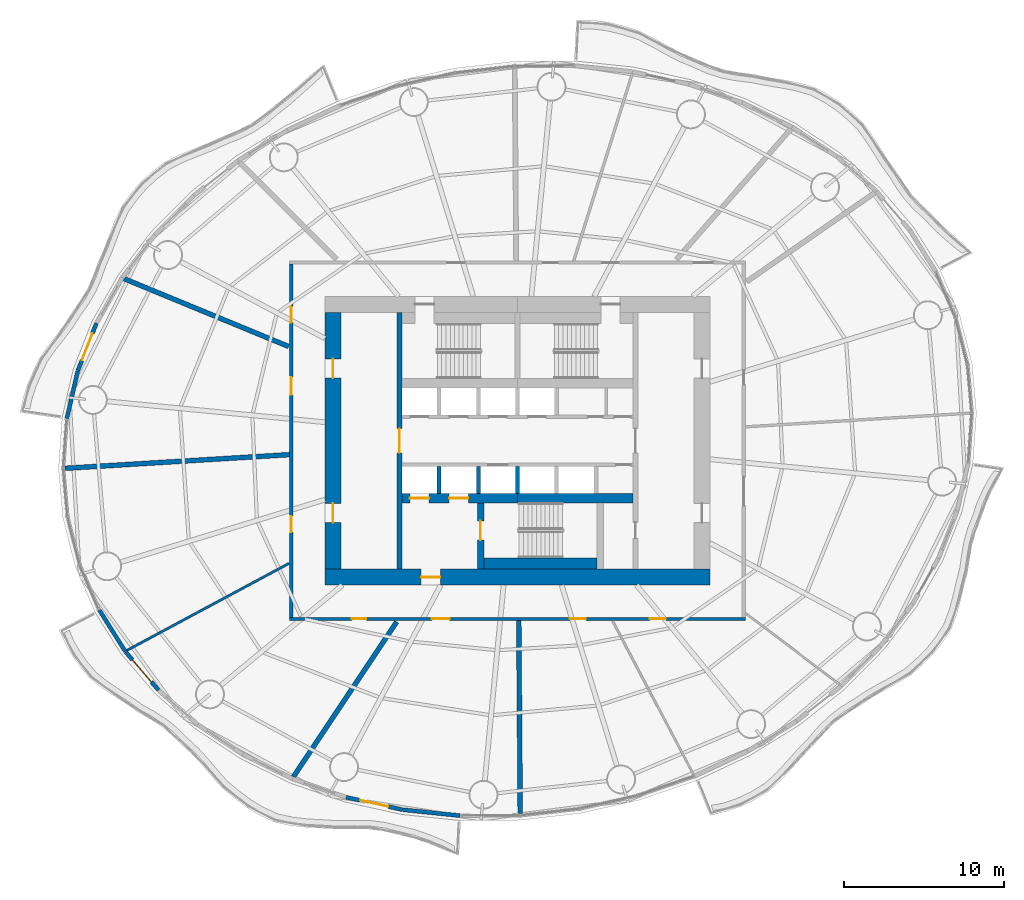
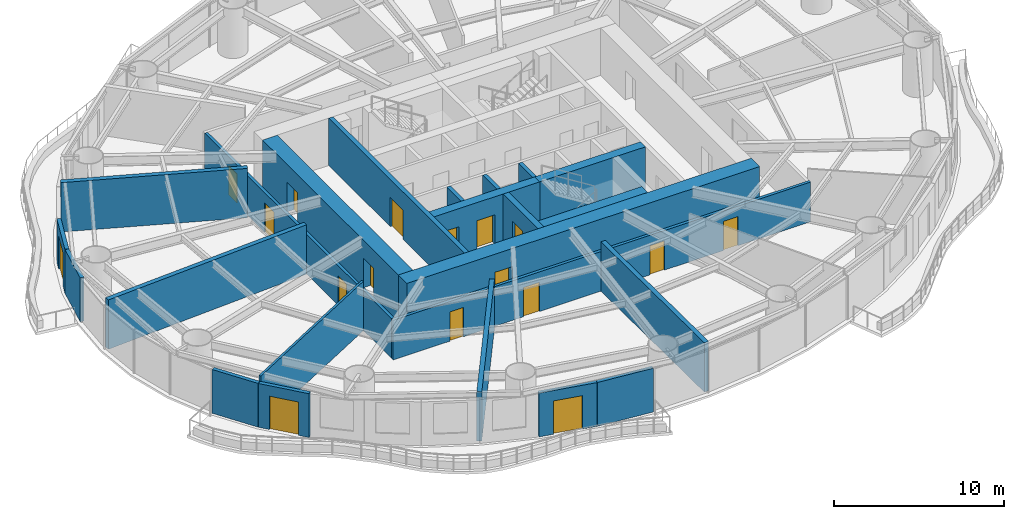
# One storey, part 8 of 16: 23 walls, 17 doors, 17 openings.
"""IFC4 building model written with IfcOpenShell, lengths in metres."""

import ifcopenshell
import ifcopenshell.guid

model = None  # the IFC model being written
_history = None  # IfcOwnerHistory: only IFC2X3 demands one
_inside = {}  # id of a spatial element -> (the spatial element, [elements in it])
_under = {}  # id of a project, library or spatial element -> (it, [spatial elements below it])
_declared = {}  # id of a project -> (the project, [libraries it declares])
_typed = {}  # id of a type object -> (the type object, [elements of that type])
_made_of = {}  # id of a material, layer set ... -> (it, [elements and type objects made of it])


def new_model(schema):
    """Start an empty IFC model of exactly this schema.

    Asked for "IFC4X3", IfcOpenShell would pick the latest addendum, in which some entities
    have other attributes; the version numbers below select the first issue.
    IFC2X3 requires an IfcOwnerHistory on every rooted entity: one is made here for all.
    """
    global model, _history
    if schema == "IFC4X3":
        model = ifcopenshell.file(schema_version=(4, 3, 0, 0))
    else:
        model = ifcopenshell.file(schema=schema)
    _inside.clear()
    _under.clear()
    _declared.clear()
    _typed.clear()
    _made_of.clear()
    _history = None
    if model.schema == "IFC2X3":
        org = make("IfcOrganization", Name="unknown")
        user = make(
            "IfcPersonAndOrganization",
            ThePerson=make("IfcPerson", FamilyName="unknown"),
            TheOrganization=org,
        )
        app = make(
            "IfcApplication",
            ApplicationDeveloper=org,
            Version="unknown",
            ApplicationFullName="unknown",
            ApplicationIdentifier="unknown",
        )
        _history = make(
            "IfcOwnerHistory",
            OwningUser=user,
            OwningApplication=app,
            ChangeAction="ADDED",
            CreationDate=0,
        )
    return model


def make(cls, **values):
    """One entity of the class cls with the attributes given. An attribute that is None is left unset."""
    return model.create_entity(
        cls, **{name: value for name, value in values.items() if value is not None}
    )


def rooted(cls, **values):
    """An entity with a GlobalId (a new one), such as an element, a storey or a relation."""
    return make(cls, GlobalId=ifcopenshell.guid.new(), OwnerHistory=_history, **values)


def si_unit(unit_type, name, prefix=None):
    """IfcSIUnit, for example si_unit("LENGTHUNIT", "METRE", prefix="MILLI")."""
    return make("IfcSIUnit", UnitType=unit_type, Prefix=prefix, Name=name)


def assignment(units):
    """IfcUnitAssignment: the units of a project."""
    return None if units is None else make("IfcUnitAssignment", Units=units)


def point(xyz):
    """IfcCartesianPoint."""
    return None if xyz is None else make("IfcCartesianPoint", Coordinates=xyz)


def direction(xyz):
    """IfcDirection."""
    return None if xyz is None else make("IfcDirection", DirectionRatios=xyz)


def frame(location, z_axis=None, x_axis=None):
    """IfcAxis2Placement3D, a coordinate frame: its origin and axes. An axis left out is left unset."""
    return make(
        "IfcAxis2Placement3D",
        Location=point(location),
        Axis=direction(z_axis),
        RefDirection=direction(x_axis),
    )


def frame_2d(location, x_axis=None):
    """IfcAxis2Placement2D, a coordinate frame in the plane: its origin and x axis."""
    return make(
        "IfcAxis2Placement2D", Location=point(location), RefDirection=direction(x_axis)
    )


def origin():
    """The frame at (0, 0, 0) with its axes left unset."""
    return frame((0.0, 0.0, 0.0))


def place(relative_to, where):
    """IfcLocalPlacement: puts the frame where relative to a parent placement (None: the world)."""
    return make(
        "IfcLocalPlacement", PlacementRelTo=relative_to, RelativePlacement=where
    )


def context(
    kind, dimensions, precision=None, world=None, true_north=None, identifier=None
):
    """IfcGeometricRepresentationContext, for example the 3D "Model" context."""
    return make(
        "IfcGeometricRepresentationContext",
        ContextIdentifier=identifier,
        ContextType=kind,
        CoordinateSpaceDimension=dimensions,
        Precision=precision,
        WorldCoordinateSystem=world,
        TrueNorth=true_north,
    )


def subcontext(parent, identifier, kind, view, scale=None):
    """IfcGeometricRepresentationSubContext, for example "Body" below "Model"."""
    return make(
        "IfcGeometricRepresentationSubContext",
        ContextIdentifier=identifier,
        ContextType=kind,
        ParentContext=parent,
        TargetScale=scale,
        TargetView=view,
    )


def project(units=None, contexts=None):
    """IfcProject with its units and contexts."""
    return rooted(
        "IfcProject",
        Name="project",
        RepresentationContexts=contexts,
        UnitsInContext=assignment(units),
    )


def spatial(cls, under=None, at=None, **own):
    """A site, building, storey or space (cls), placed at a placement, below another one or the project."""
    s = rooted(cls, ObjectPlacement=at, **own)
    if under is not None:
        _under.setdefault(under.id(), (under, []))[1].append(s)
    return s


def profile(cls, at=None, kind="AREA", **sizes):
    """A parametric profile (cls). Its sizes go by their IFC names, for example OverallWidth=200.0."""
    return make(cls, ProfileType=kind, Position=at, **sizes)


def rectangle(**sizes):
    """IfcRectangleProfileDef."""
    return profile("IfcRectangleProfileDef", **sizes)


def extrude(swept, where, along, depth):
    """IfcExtrudedAreaSolid: the profile swept, set in the frame where, extruded along a direction by depth."""
    return make(
        "IfcExtrudedAreaSolid",
        SweptArea=swept,
        Position=where,
        ExtrudedDirection=direction(along),
        Depth=depth,
    )


def shape(context_of_items, identifier, shape_type, items):
    """IfcShapeRepresentation: the items that make up one representation, for example the "Body"."""
    return make(
        "IfcShapeRepresentation",
        ContextOfItems=context_of_items,
        RepresentationIdentifier=identifier,
        RepresentationType=shape_type,
        Items=items,
    )


def material(Name=None, Category=None):
    """IfcMaterial."""
    return make("IfcMaterial", Name=Name, Category=Category)


def layer(
    of_material, thickness, ventilated=None, Name=None, Category=None, Priority=None
):
    """IfcMaterialLayer: one layer of a wall or slab, of a material (None: an air gap)."""
    return make(
        "IfcMaterialLayer",
        Material=of_material,
        LayerThickness=thickness,
        IsVentilated=ventilated,
        Name=Name,
        Category=Category,
        Priority=Priority,
    )


def layer_set(layers, Name=None):
    """IfcMaterialLayerSet."""
    return make("IfcMaterialLayerSet", MaterialLayers=layers, LayerSetName=Name)


def made_of(thing, what):
    """Note that an element or type object is made of a material, layer set ...; save() writes the relation."""
    if what is not None:
        _made_of.setdefault(what.id(), (what, []))[1].append(thing)
    return thing


def type_object(cls, material=None, **own):
    """A type object (cls), such as IfcWallType, which elements share."""
    return made_of(rooted(cls, **own), material)


def element(
    cls,
    number,
    at=None,
    inside=None,
    cuts=None,
    type_object=None,
    material=None,
    context=None,
    identifier="Body",
    shape_type=None,
    held_by="IfcProductDefinitionShape",
    body=None,
    shapes=None,
    **own,
):
    """One element of the class cls, such as IfcWall. Its Tag is "e" and its number.

    at: its placement. inside: the storey or other place that contains it. cuts: it is an
    opening in that element (IfcRelVoidsElement). A single representation is given by context,
    identifier, shape_type and body (its items); several are given by shapes. held_by: the class
    of the entity that holds the representations. save() writes the other relations.
    """
    e = rooted(cls, Tag="e%d" % number, ObjectPlacement=at, **own)
    if body is not None:
        shapes = [shape(context, identifier, shape_type, body)]
    if shapes is not None:
        e.Representation = make(held_by, Representations=shapes)
    if inside is not None:
        _inside.setdefault(inside.id(), (inside, []))[1].append(e)
    if cuts is not None:
        rooted(
            "IfcRelVoidsElement", RelatingBuildingElement=cuts, RelatedOpeningElement=e
        )
    if type_object is not None:
        _typed.setdefault(type_object.id(), (type_object, []))[1].append(e)
    return made_of(e, material)


def fill(opening, filler):
    """IfcRelFillsElement: the door or window that sits in an opening."""
    return rooted(
        "IfcRelFillsElement",
        RelatingOpeningElement=opening,
        RelatedBuildingElement=filler,
    )


def aggregate(whole, parts):
    """IfcRelAggregates: a whole, such as a stair, and the parts it consists of."""
    return rooted("IfcRelAggregates", RelatingObject=whole, RelatedObjects=parts)


def save(model, path):
    """Write the relations noted so far, then the file.

    IfcRelAggregates (storeys below a building ...), IfcRelContainedInSpatialStructure (elements
    in a storey), IfcRelDefinesByType, IfcRelAssociatesMaterial and IfcRelDeclares: one each for
    every whole, place, type object, material and project.
    """
    for whole, parts in _under.values():
        aggregate(whole, parts)
    for where, things in _inside.values():
        rooted(
            "IfcRelContainedInSpatialStructure",
            RelatedElements=things,
            RelatingStructure=where,
        )
    for kind, things in _typed.values():
        rooted("IfcRelDefinesByType", RelatedObjects=things, RelatingType=kind)
    for what, things in _made_of.values():
        rooted("IfcRelAssociatesMaterial", RelatedObjects=things, RelatingMaterial=what)
    for by, libraries in _declared.values():
        rooted("IfcRelDeclares", RelatingContext=by, RelatedDefinitions=libraries)
    model.write(path)


model = new_model("IFC4")

# Units and contexts
model_context = context("Model", 3, precision=1e-05, world=origin(), true_north=direction((0.0, 1.0)))
body_context = subcontext(model_context, "Body", "Model", "MODEL_VIEW")
ifc_project = project(units=[si_unit("LENGTHUNIT", "METRE"), si_unit("AREAUNIT", "SQUARE_METRE"), si_unit("VOLUMEUNIT", "CUBIC_METRE"), si_unit("PLANEANGLEUNIT", "RADIAN"), si_unit("MASSUNIT", "GRAM", prefix="KILO")], contexts=[model_context])

# Site, building, storey
site_placement = place(None, origin())
site = spatial("IfcSite", under=ifc_project, at=site_placement, CompositionType="ELEMENT")
building_placement = place(site_placement, origin())
building = spatial("IfcBuilding", under=site, at=building_placement, Name="Vermilion Reach Broadcast Tower", CompositionType="ELEMENT")
storey_placement = place(building_placement, frame((0.0, 0.0, 73.0)))
storey = spatial("IfcBuildingStorey", under=building, at=storey_placement, Name="L15", CompositionType="ELEMENT", Elevation=73.0)

# Wall, opening, door
ifc_material_1 = material(Name="Concrete C70", Category="concrete")
ifc_layer_1 = layer(ifc_material_1, 0.300048828125)
ifc_layer_set_1 = layer_set([ifc_layer_1], Name="Core inner wall 300 mm Concrete C70")
wall_type_1 = type_object("IfcWallType", Name="Core inner wall 300 mm Concrete C70", PredefinedType="SHEAR", material=ifc_layer_set_1)
wall_1_placement = place(storey_placement, frame((-13.35009765625, 8.0, 0.0), z_axis=(0.0, 0.0, 1.0), x_axis=(0.0, -1.0, 0.0)))
wall_1 = element("IfcWall", 1, at=wall_1_placement, inside=storey, type_object=wall_type_1, Name="L15 core wall ewW", PredefinedType="SHEAR", context=body_context, shape_type="SweptSolid", body=[
    extrude(rectangle(XDim=16.0, YDim=0.300048828125, at=frame_2d((8.0, 0.0))), origin(), (0.0, 0.0, 1.0), 3.39990234375),
])
opening_1_placement = place(wall_1_placement, frame((7.25, 0.0, 0.0)))
opening_1 = element("IfcOpeningElement", 2, at=opening_1_placement, cuts=wall_1, Name="Opening D04", PredefinedType="OPENING", context=body_context, shape_type="SweptSolid", body=[
    extrude(rectangle(XDim=1.5, YDim=2.10009765625, at=frame_2d((0.75, 1.050048828125))), frame((0.0, 0.159912109375, 0.0), z_axis=(0.0, -1.0, 0.0), x_axis=(1.0, 0.0, 0.0)), (0.0, 0.0, 1.0), 0.320068359375),
])
ifc_material_2 = material(Name="Painted steel fire door", Category="steel")
door_type_1 = type_object("IfcDoorType", Name="Lift lobby door 1500 x 2100", OperationType="DOUBLE_DOOR_SINGLE_SWING", PredefinedType="NOTDEFINED", material=ifc_material_2)
door_1_placement = place(opening_1_placement, origin())
door_1 = element("IfcDoor", 3, at=door_1_placement, inside=storey, type_object=door_type_1, Name="L15 band door BW", OperationType="DOUBLE_DOOR_SINGLE_SWING", OverallHeight=2.10009765625, OverallWidth=1.5, PredefinedType="NOTDEFINED", context=body_context, shape_type="SweptSolid", body=[
    extrude(rectangle(XDim=1.5, YDim=2.10009765625, at=frame_2d((0.75, 1.050048828125))), frame((0.0, 0.02490234375, 0.0), z_axis=(0.0, -1.0, 0.0), x_axis=(1.0, 0.0, 0.0)), (0.0, 0.0, 1.0), 0.050048828125),
])
fill(opening_1, door_1)

ifc_material_3 = material(Name="Concrete C70", Category="concrete")
ifc_layer_2 = layer(ifc_material_3, 0.39990234375)
ifc_layer_set_2 = layer_set([ifc_layer_2], Name="Core inner wall 400 mm Concrete C70")
wall_type_2 = type_object("IfcWallType", Name="Core inner wall 400 mm Concrete C70", PredefinedType="SHEAR", material=ifc_layer_set_2)
wall_2_placement = place(storey_placement, frame((-8.300048828125, -3.8798828125, 0.0), z_axis=(0.0, 0.0, 1.0), x_axis=(0.0, -1.0, 0.0)))
wall_2 = element("IfcWall", 4, at=wall_2_placement, inside=storey, type_object=wall_type_2, Name="L15 core wall wa", PredefinedType="SHEAR", context=body_context, shape_type="SweptSolid", body=[
    extrude(rectangle(XDim=4.1201171875, YDim=0.39990234375, at=frame_2d((2.06005859375, 0.0))), origin(), (0.0, 0.0, 1.0), 3.39990234375),
])
opening_2_placement = place(wall_2_placement, frame((1.110107421875, 0.0, 0.0)))
opening_2 = element("IfcOpeningElement", 5, at=opening_2_placement, cuts=wall_2, Name="Opening D01", PredefinedType="OPENING", context=body_context, shape_type="SweptSolid", body=[
    extrude(rectangle(XDim=1.199951171875, YDim=2.10009765625, at=frame_2d((0.60009765625, 1.050048828125))), frame((0.0, 0.2099609375, 0.0), z_axis=(0.0, -1.0, 0.0), x_axis=(1.0, 0.0, 0.0)), (0.0, 0.0, 1.0), 0.419921875),
])
ifc_material_4 = material(Name="Painted steel fire door", Category="steel")
door_type_2 = type_object("IfcDoorType", Name="Stair door 1200 x 2100", OperationType="DOUBLE_DOOR_SINGLE_SWING", PredefinedType="NOTDEFINED", material=ifc_material_4)
door_2_placement = place(opening_2_placement, origin())
door_2 = element("IfcDoor", 6, at=door_2_placement, inside=storey, type_object=door_type_2, Name="L15 stair door ST3", OperationType="DOUBLE_DOOR_SINGLE_SWING", OverallHeight=2.10009765625, OverallWidth=1.199951171875, PredefinedType="NOTDEFINED", context=body_context, shape_type="SweptSolid", body=[
    extrude(rectangle(XDim=1.199951171875, YDim=2.10009765625, at=frame_2d((0.60009765625, 1.050048828125))), frame((0.0, 0.02490234375, 0.0), z_axis=(0.0, -1.0, 0.0), x_axis=(1.0, 0.0, 0.0)), (0.0, 0.0, 1.0), 0.050048828125),
])
fill(opening_2, door_2)

# Wall, openings, doors
ifc_material_5 = material(Name="Concrete C70", Category="concrete")
ifc_layer_3 = layer(ifc_material_5, 0.60009765625)
ifc_layer_set_3 = layer_set([ifc_layer_3], Name="Core inner wall 600 mm Concrete C70")
wall_type_3 = type_object("IfcWallType", Name="Core inner wall 600 mm Concrete C70", PredefinedType="SHEAR", material=ifc_layer_set_3)
wall_3_placement = place(storey_placement, frame((-13.199951171875, -3.580078125, 0.0), z_axis=(0.0, 0.0, 1.0), x_axis=(1.0, 0.0, 0.0)))
wall_3 = element("IfcWall", 7, at=wall_3_placement, inside=storey, type_object=wall_type_3, Name="L15 core wall wisW", PredefinedType="SHEAR", context=body_context, shape_type="SweptSolid", body=[
    extrude(rectangle(XDim=7.199951171875, YDim=0.60009765625, at=frame_2d((3.60009765625, 0.0))), origin(), (0.0, 0.0, 1.0), 3.39990234375),
])
opening_3_placement = place(wall_3_placement, frame((0.495849609375, 0.0, 0.0)))
opening_3 = element("IfcOpeningElement", 8, at=opening_3_placement, cuts=wall_3, Name="Opening LD1", PredefinedType="OPENING", context=body_context, shape_type="SweptSolid", body=[
    extrude(rectangle(XDim=1.199951171875, YDim=2.10009765625, at=frame_2d((0.60009765625, 1.050048828125))), frame((0.0, 0.31005859375, 0.0), z_axis=(0.0, -1.0, 0.0), x_axis=(1.0, 0.0, 0.0)), (0.0, 0.0, 1.0), 0.6201171875),
])
opening_4_placement = place(wall_3_placement, frame((2.9375, 0.0, 0.0)))
opening_4 = element("IfcOpeningElement", 9, at=opening_4_placement, cuts=wall_3, Name="Opening LD1", PredefinedType="OPENING", context=body_context, shape_type="SweptSolid", body=[
    extrude(rectangle(XDim=1.199951171875, YDim=2.10009765625, at=frame_2d((0.60009765625, 1.050048828125))), frame((0.0, 0.31005859375, 0.0), z_axis=(0.0, -1.0, 0.0), x_axis=(1.0, 0.0, 0.0)), (0.0, 0.0, 1.0), 0.6201171875),
])
ifc_material_6 = material(Name="Stainless steel", Category="steel")
door_type_3 = type_object("IfcDoorType", Name="Landing door 1200 x 2100", OperationType="DOUBLE_DOOR_SLIDING", PredefinedType="NOTDEFINED", material=ifc_material_6)
door_3_placement = place(opening_3_placement, origin())
door_3 = element("IfcDoor", 10, at=door_3_placement, inside=storey, type_object=door_type_3, Name="L15 landing door FF1", OperationType="DOUBLE_DOOR_SLIDING", OverallHeight=2.10009765625, OverallWidth=1.199951171875, PredefinedType="NOTDEFINED", context=body_context, shape_type="SweptSolid", body=[
    extrude(rectangle(XDim=1.199951171875, YDim=2.10009765625, at=frame_2d((0.60009765625, 1.050048828125))), frame((0.0, 0.02490234375, 0.0), z_axis=(0.0, -1.0, 0.0), x_axis=(1.0, 0.0, 0.0)), (0.0, 0.0, 1.0), 0.050048828125),
])
fill(opening_3, door_3)
door_4_placement = place(opening_4_placement, origin())
door_4 = element("IfcDoor", 11, at=door_4_placement, inside=storey, type_object=door_type_3, Name="L15 landing door FF2", OperationType="DOUBLE_DOOR_SLIDING", OverallHeight=2.10009765625, OverallWidth=1.199951171875, PredefinedType="NOTDEFINED", context=body_context, shape_type="SweptSolid", body=[
    extrude(rectangle(XDim=1.199951171875, YDim=2.10009765625, at=frame_2d((0.60009765625, 1.050048828125))), frame((0.0, 0.02490234375, 0.0), z_axis=(0.0, -1.0, 0.0), x_axis=(1.0, 0.0, 0.0)), (0.0, 0.0, 1.0), 0.050048828125),
])
fill(opening_4, door_4)

# Wall
wall_4_placement = place(storey_placement, frame((-6.0, -3.580078125, 0.0), z_axis=(0.0, 0.0, 1.0), x_axis=(1.0, 0.0, 0.0)))
element("IfcWall", 12, at=wall_4_placement, inside=storey, type_object=wall_type_3, Name="L15 core wall wisE", PredefinedType="SHEAR", context=body_context, shape_type="SweptSolid", body=[
    extrude(rectangle(XDim=7.199951171875, YDim=0.60009765625, at=frame_2d((3.60009765625, 0.0))), origin(), (0.0, 0.0, 1.0), 3.39990234375),
])

# Wall, opening, door
ifc_material_7 = material(Name="Concrete C70", Category="concrete")
ifc_layer_4 = layer(ifc_material_7, 1.0)
ifc_layer_set_4 = layer_set([ifc_layer_4], Name="Core outer wall 1000 mm Concrete C70")
wall_type_4 = type_object("IfcWallType", Name="Core outer wall 1000 mm Concrete C70", PredefinedType="SHEAR", material=ifc_layer_set_4)
wall_5_placement = place(storey_placement, frame((-18.0, -8.5, 0.0), z_axis=(0.0, 0.0, 1.0), x_axis=(1.0, 0.0, 0.0)))
wall_5 = element("IfcWall", 13, at=wall_5_placement, inside=storey, type_object=wall_type_4, Name="L15 core wall os", PredefinedType="SHEAR", context=body_context, shape_type="SweptSolid", body=[
    extrude(rectangle(XDim=24.0, YDim=1.0, at=frame_2d((12.0, 0.0))), origin(), (0.0, 0.0, 1.0), 3.39990234375),
])
opening_5_placement = place(wall_5_placement, frame((6.0, 0.0, 0.0)))
opening_5 = element("IfcOpeningElement", 14, at=opening_5_placement, cuts=wall_5, Name="Opening D02", PredefinedType="OPENING", context=body_context, shape_type="SweptSolid", body=[
    extrude(rectangle(XDim=1.199951171875, YDim=2.10009765625, at=frame_2d((0.60009765625, 1.050048828125))), frame((0.0, 0.510009765625, 0.0), z_axis=(0.0, -1.0, 0.0), x_axis=(1.0, 0.0, 0.0)), (0.0, 0.0, 1.0), 1.02001953125),
])
ifc_material_8 = material(Name="Painted steel fire door", Category="steel")
door_type_4 = type_object("IfcDoorType", Name="Firefighting lobby door 1200 x 2100", OperationType="DOUBLE_DOOR_SINGLE_SWING", PredefinedType="NOTDEFINED", material=ifc_material_8)
door_5_placement = place(opening_5_placement, origin())
door_5 = element("IfcDoor", 15, at=door_5_placement, inside=storey, type_object=door_type_4, Name="L15 ffdoor door FFL", OperationType="DOUBLE_DOOR_SINGLE_SWING", OverallHeight=2.10009765625, OverallWidth=1.199951171875, PredefinedType="NOTDEFINED", context=body_context, shape_type="SweptSolid", body=[
    extrude(rectangle(XDim=1.199951171875, YDim=2.10009765625, at=frame_2d((0.60009765625, 1.050048828125))), frame((0.0, 0.02490234375, 0.0), z_axis=(0.0, -1.0, 0.0), x_axis=(1.0, 0.0, 0.0)), (0.0, 0.0, 1.0), 0.050048828125),
])
fill(opening_5, door_5)

# Wall, openings, doors
wall_6_placement = place(storey_placement, frame((-17.5, 8.0, 0.0), z_axis=(0.0, 0.0, 1.0), x_axis=(0.0, -1.0, 0.0)))
wall_6 = element("IfcWall", 16, at=wall_6_placement, inside=storey, type_object=wall_type_4, Name="L15 core wall ow", PredefinedType="SHEAR", context=body_context, shape_type="SweptSolid", body=[
    extrude(rectangle(XDim=16.0, YDim=1.0, at=frame_2d((8.0, 0.0))), origin(), (0.0, 0.0, 1.0), 3.39990234375),
])
opening_6_placement = place(wall_6_placement, frame((11.89990234375, 0.0, 0.0)))
opening_6 = element("IfcOpeningElement", 17, at=opening_6_placement, cuts=wall_6, Name="Opening D03", PredefinedType="OPENING", context=body_context, shape_type="SweptSolid", body=[
    extrude(rectangle(XDim=1.199951171875, YDim=2.10009765625, at=frame_2d((0.60009765625, 1.050048828125))), frame((0.0, 0.510009765625, 0.0), z_axis=(0.0, -1.0, 0.0), x_axis=(1.0, 0.0, 0.0)), (0.0, 0.0, 1.0), 1.02001953125),
])
opening_7_placement = place(wall_6_placement, frame((2.89990234375, 0.0, 0.0)))
opening_7 = element("IfcOpeningElement", 18, at=opening_7_placement, cuts=wall_6, Name="Opening D03", PredefinedType="OPENING", context=body_context, shape_type="SweptSolid", body=[
    extrude(rectangle(XDim=1.199951171875, YDim=2.10009765625, at=frame_2d((0.60009765625, 1.050048828125))), frame((0.0, 0.510009765625, 0.0), z_axis=(0.0, -1.0, 0.0), x_axis=(1.0, 0.0, 0.0)), (0.0, 0.0, 1.0), 1.02001953125),
])
ifc_material_9 = material(Name="Painted steel fire door", Category="steel")
door_type_5 = type_object("IfcDoorType", Name="Core lobby door 1200 x 2100", OperationType="DOUBLE_DOOR_SINGLE_SWING", PredefinedType="NOTDEFINED", material=ifc_material_9)
door_6_placement = place(opening_6_placement, origin())
door_6 = element("IfcDoor", 19, at=door_6_placement, inside=storey, type_object=door_type_5, Name="L15 slot door W0", OperationType="DOUBLE_DOOR_SINGLE_SWING", OverallHeight=2.10009765625, OverallWidth=1.199951171875, PredefinedType="NOTDEFINED", context=body_context, shape_type="SweptSolid", body=[
    extrude(rectangle(XDim=1.199951171875, YDim=2.10009765625, at=frame_2d((0.60009765625, 1.050048828125))), frame((0.0, 0.02490234375, 0.0), z_axis=(0.0, -1.0, 0.0), x_axis=(1.0, 0.0, 0.0)), (0.0, 0.0, 1.0), 0.050048828125),
])
fill(opening_6, door_6)
door_7_placement = place(opening_7_placement, origin())
door_7 = element("IfcDoor", 20, at=door_7_placement, inside=storey, type_object=door_type_5, Name="L15 slot door W1", OperationType="DOUBLE_DOOR_SINGLE_SWING", OverallHeight=2.10009765625, OverallWidth=1.199951171875, PredefinedType="NOTDEFINED", context=body_context, shape_type="SweptSolid", body=[
    extrude(rectangle(XDim=1.199951171875, YDim=2.10009765625, at=frame_2d((0.60009765625, 1.050048828125))), frame((0.0, 0.02490234375, 0.0), z_axis=(0.0, -1.0, 0.0), x_axis=(1.0, 0.0, 0.0)), (0.0, 0.0, 1.0), 0.050048828125),
])
fill(opening_7, door_7)

# Walls
ifc_material_10 = material(Name="Concrete C50", Category="concrete")
ifc_layer_5 = layer(ifc_material_10, 0.25)
ifc_layer_set_5 = layer_set([ifc_layer_5], Name="Core shaft wall 250 mm Concrete C50")
wall_type_5 = type_object("IfcWallType", Name="Core shaft wall 250 mm Concrete C50", PredefinedType="SHEAR", material=ifc_layer_set_5)
for number, where, z_axis, x_axis, name in (
    (21, (-10.88330078125, -1.60009765625, 0.0), (0.0, 0.0, 1.0), (0.0, -1.0, 0.0), "L15 core wall psS0"),
    (22, (-8.441650390625, -1.60009765625, 0.0), (0.0, 0.0, 1.0), (0.0, -1.0, 0.0), "L15 core wall psS1"),
    (23, (-6.0, -1.60009765625, 0.0), (0.0, 0.0, 1.0), (0.0, -1.0, 0.0), "L15 core wall psS2"),
):
    element("IfcWall", number, at=place(storey_placement, frame(where, z_axis=z_axis, x_axis=x_axis)), inside=storey, type_object=wall_type_5, Name=name, PredefinedType="SHEAR", context=body_context, shape_type="SweptSolid", body=[
        extrude(rectangle(XDim=1.679931640625, YDim=0.25, at=frame_2d((0.83984375, 0.0))), origin(), (0.0, 0.0, 1.0), 3.39990234375),
    ])
ifc_material_11 = material(Name="Concrete C70", Category="concrete")
ifc_layer_6 = layer(ifc_material_11, 0.699951171875)
ifc_layer_set_6 = layer_set([ifc_layer_6], Name="Core stair wall 700 mm Concrete C70")
wall_type_6 = type_object("IfcWallType", Name="Core stair wall 700 mm Concrete C70", PredefinedType="SHEAR", material=ifc_layer_set_6)
wall_7_placement = place(storey_placement, frame((-8.10009765625, -7.64990234375, 0.0), z_axis=(0.0, 0.0, 1.0), x_axis=(1.0, 0.0, 0.0)))
element("IfcWall", 24, at=wall_7_placement, inside=storey, type_object=wall_type_6, Name="L15 core wall l3", PredefinedType="SHEAR", context=body_context, shape_type="SweptSolid", body=[
    extrude(rectangle(XDim=7.050048828125, YDim=0.699951171875, at=frame_2d((3.52490234375, 0.0))), origin(), (0.0, 0.0, 1.0), 3.39990234375),
])
ifc_material_12 = material(Name="Lightweight concrete block, plastered", Category="concrete")
ifc_layer_7 = layer(ifc_material_12, 0.14990234375)
ifc_layer_set_7 = layer_set([ifc_layer_7], Name="Partition 150 lightweight block")
wall_type_7 = type_object("IfcWallType", Name="Partition 150 lightweight block", PredefinedType="PARTITIONING", material=ifc_layer_set_7)
wall_8_placement = place(storey_placement, frame((-30.337158203125, -13.06298828125, 0.0), z_axis=(0.0, 0.0, 1.0), x_axis=(0.881100754634, 0.472928599456, 0.0)))
element("IfcWall", 25, at=wall_8_placement, inside=storey, type_object=wall_type_7, Name="Partition 15.08", PredefinedType="PARTITIONING", context=body_context, shape_type="SweptSolid", body=[
    extrude(rectangle(XDim=11.465087890625, YDim=0.14990234375, at=frame_2d((5.732421875, 0.0))), origin(), (0.0, 0.0, 1.0), 3.550048828125),
])
ifc_material_13 = material(Name="Double-leaf plasterboard on isolated steel stud", Category="steel")
ifc_layer_8 = layer(ifc_material_13, 0.300048828125)
ifc_layer_set_8 = layer_set([ifc_layer_8], Name="Partition 300 acoustic double leaf")
wall_type_8 = type_object("IfcWallType", Name="Partition 300 acoustic double leaf", PredefinedType="PARTITIONING", material=ifc_layer_set_8)
wall_9_placement = place(storey_placement, frame((-30.52001953125, 10.099609375, 0.0), z_axis=(0.0, 0.0, 1.0), x_axis=(0.924634361227, -0.380856006962, 0.0)))
element("IfcWall", 26, at=wall_9_placement, inside=storey, type_object=wall_type_8, Name="Partition 15.06", PredefinedType="PARTITIONING", context=body_context, shape_type="SweptSolid", body=[
    extrude(rectangle(XDim=11.099365234375, YDim=0.300048828125, at=frame_2d((5.5498046875, 0.0))), origin(), (0.0, 0.0, 1.0), 3.550048828125),
])
wall_10_placement = place(storey_placement, frame((-34.184814453125, -1.717529296875, 0.0), z_axis=(0.0, 0.0, 1.0), x_axis=(0.998148789729, 0.060819351872, 0.0)))
element("IfcWall", 27, at=wall_10_placement, inside=storey, type_object=wall_type_8, Name="Partition 15.07", PredefinedType="PARTITIONING", context=body_context, shape_type="SweptSolid", body=[
    extrude(rectangle(XDim=14.00146484375, YDim=0.300048828125, at=frame_2d((7.000732421875, 0.0))), origin(), (0.0, 0.0, 1.0), 3.550048828125),
])
wall_11_placement = place(storey_placement, frame((-19.972900390625, -20.94921875, 0.0), z_axis=(0.0, 0.0, 1.0), x_axis=(0.554894141309, 0.831920964961, 0.0)))
element("IfcWall", 28, at=wall_11_placement, inside=storey, type_object=wall_type_8, Name="Partition 15.09", PredefinedType="PARTITIONING", context=body_context, shape_type="SweptSolid", body=[
    extrude(rectangle(XDim=11.618896484375, YDim=0.300048828125, at=frame_2d((5.8095703125, 0.0))), origin(), (0.0, 0.0, 1.0), 3.550048828125),
])
wall_12_placement = place(storey_placement, frame((-5.830322265625, -23.2255859375, 0.0), z_axis=(0.0, 0.0, 1.0), x_axis=(-0.007309152595, 0.999973287787, 0.0)))
element("IfcWall", 29, at=wall_12_placement, inside=storey, type_object=wall_type_8, Name="Partition 15.10", PredefinedType="PARTITIONING", context=body_context, shape_type="SweptSolid", body=[
    extrude(rectangle(XDim=12.024658203125, YDim=0.300048828125, at=frame_2d((6.01220703125, 0.0))), origin(), (0.0, 0.0, 1.0), 3.550048828125),
])

# Wall, opening, door
ifc_material_14 = material(Name="Terracotta rainscreen cladding", Category="masonry")
ifc_layer_9 = layer(ifc_material_14, 0.25)
ifc_layer_set_9 = layer_set([ifc_layer_9], Name="Terracotta rainscreen wall 250")
wall_type_9 = type_object("IfcWallType", Name="Terracotta rainscreen wall 250", PredefinedType="SOLIDWALL", material=ifc_layer_set_9)
wall_13_placement = place(storey_placement, frame((-32.240966796875, 7.31884765625, 0.0), z_axis=(0.0, 0.0, 1.0), x_axis=(-0.365472806346, -0.930822017263, 0.0)))
wall_13 = element("IfcWall", 30, at=wall_13_placement, inside=storey, type_object=wall_type_9, Name="External wall L15 20", PredefinedType="SOLIDWALL", context=body_context, shape_type="SweptSolid", body=[
    extrude(rectangle(XDim=3.155029296875, YDim=0.25, at=frame_2d((1.57763671875, 0.0))), origin(), (0.0, 0.0, 1.0), 3.14990234375),
])
opening_8_placement = place(wall_13_placement, frame((0.677001953125, 0.0, 0.0)))
opening_8 = element("IfcOpeningElement", 31, at=opening_8_placement, cuts=wall_13, Name="Opening D70", PredefinedType="OPENING", context=body_context, shape_type="SweptSolid", body=[
    extrude(rectangle(XDim=1.800048828125, YDim=2.39990234375, at=frame_2d((0.89990234375, 1.199951171875))), frame((0.0, 0.135009765625, 0.0), z_axis=(0.0, -1.0, 0.0), x_axis=(1.0, 0.0, 0.0)), (0.0, 0.0, 1.0), 0.27001953125),
])
ifc_material_15 = material(Name="Low-e laminated clear glass in aluminium frame", Category="aluminium")
door_type_6 = type_object("IfcDoorType", Name="Balcony sliding door 1800 x 2400", OperationType="DOUBLE_DOOR_SLIDING", PredefinedType="DOOR", material=ifc_material_15)
door_8_placement = place(opening_8_placement, origin())
door_8 = element("IfcDoor", 32, at=door_8_placement, inside=storey, type_object=door_type_6, Name="Balcony door L15 run 05", OperationType="DOUBLE_DOOR_SLIDING", OverallHeight=2.39990234375, OverallWidth=1.800048828125, PredefinedType="DOOR", context=body_context, shape_type="SweptSolid", body=[
    extrude(rectangle(XDim=1.800048828125, YDim=2.39990234375, at=frame_2d((0.89990234375, 1.199951171875))), frame((0.0, 0.02490234375, 0.0), z_axis=(0.0, -1.0, 0.0), x_axis=(1.0, 0.0, 0.0)), (0.0, 0.0, 1.0), 0.050048828125),
])
fill(opening_8, door_8)

# Walls
for number, where, z_axis, x_axis, name in (
    (33, (-33.40185546875, 4.356689453125, 0.0), (0.0, 0.0, 1.0), (-0.223295188231, -0.974750870178, 0.0), "External wall L15 21"),
    (34, (-32.0625, -10.547607421875, 0.0), (0.0, 0.0, 1.0), (0.531461731017, -0.847082303241, 0.0), "External wall L15 26"),
):
    element("IfcWall", number, at=place(storey_placement, frame(where, z_axis=z_axis, x_axis=x_axis)), inside=storey, type_object=wall_type_9, Name=name, PredefinedType="SOLIDWALL", context=body_context, shape_type="SweptSolid", body=[
        extrude(rectangle(XDim=3.0439453125, YDim=0.25, at=frame_2d((1.52197265625, 0.0))), origin(), (0.0, 0.0, 1.0), 3.14990234375),
    ])

# Wall, opening, door
wall_14_placement = place(storey_placement, frame((-30.42919921875, -13.1474609375, 0.0), z_axis=(0.0, 0.0, 1.0), x_axis=(0.651320140898, -0.75880305354, 0.0)))
wall_14 = element("IfcWall", 35, at=wall_14_placement, inside=storey, type_object=wall_type_9, Name="External wall L15 27", PredefinedType="SOLIDWALL", context=body_context, shape_type="SweptSolid", body=[
    extrude(rectangle(XDim=3.155029296875, YDim=0.25, at=frame_2d((1.57763671875, 0.0))), origin(), (0.0, 0.0, 1.0), 3.14990234375),
])
opening_9_placement = place(wall_14_placement, frame((0.677001953125, 0.0, 0.0)))
opening_9 = element("IfcOpeningElement", 36, at=opening_9_placement, cuts=wall_14, Name="Opening D70", PredefinedType="OPENING", context=body_context, shape_type="SweptSolid", body=[
    extrude(rectangle(XDim=1.800048828125, YDim=2.39990234375, at=frame_2d((0.89990234375, 1.199951171875))), frame((0.0, 0.135009765625, 0.0), z_axis=(0.0, -1.0, 0.0), x_axis=(1.0, 0.0, 0.0)), (0.0, 0.0, 1.0), 0.27001953125),
])
door_9_placement = place(opening_9_placement, origin())
door_9 = element("IfcDoor", 37, at=door_9_placement, inside=storey, type_object=door_type_6, Name="Balcony door L15 run 07", OperationType="DOUBLE_DOOR_SLIDING", OverallHeight=2.39990234375, OverallWidth=1.800048828125, PredefinedType="DOOR", context=body_context, shape_type="SweptSolid", body=[
    extrude(rectangle(XDim=1.800048828125, YDim=2.39990234375, at=frame_2d((0.89990234375, 1.199951171875))), frame((0.0, 0.02490234375, 0.0), z_axis=(0.0, -1.0, 0.0), x_axis=(1.0, 0.0, 0.0)), (0.0, 0.0, 1.0), 0.050048828125),
])
fill(opening_9, door_9)

wall_15_placement = place(storey_placement, frame((-16.67578125, -22.2216796875, 0.0), z_axis=(0.0, 0.0, 1.0), x_axis=(0.976653338545, -0.214821452162, 0.0)))
wall_15 = element("IfcWall", 38, at=wall_15_placement, inside=storey, type_object=wall_type_9, Name="External wall L15 32", PredefinedType="SOLIDWALL", context=body_context, shape_type="SweptSolid", body=[
    extrude(rectangle(XDim=3.579833984375, YDim=0.25, at=frame_2d((1.7900390625, 0.0))), origin(), (0.0, 0.0, 1.0), 3.14990234375),
])
opening_10_placement = place(wall_15_placement, frame((0.889892578125, 0.0, 0.0)))
opening_10 = element("IfcOpeningElement", 39, at=opening_10_placement, cuts=wall_15, Name="Opening D70", PredefinedType="OPENING", context=body_context, shape_type="SweptSolid", body=[
    extrude(rectangle(XDim=1.800048828125, YDim=2.39990234375, at=frame_2d((0.89990234375, 1.199951171875))), frame((0.0, 0.135009765625, 0.0), z_axis=(0.0, -1.0, 0.0), x_axis=(1.0, 0.0, 0.0)), (0.0, 0.0, 1.0), 0.27001953125),
])
door_10_placement = place(opening_10_placement, origin())
door_10 = element("IfcDoor", 40, at=door_10_placement, inside=storey, type_object=door_type_6, Name="Balcony door L15 run 08", OperationType="DOUBLE_DOOR_SLIDING", OverallHeight=2.39990234375, OverallWidth=1.800048828125, PredefinedType="DOOR", context=body_context, shape_type="SweptSolid", body=[
    extrude(rectangle(XDim=1.800048828125, YDim=2.39990234375, at=frame_2d((0.89990234375, 1.199951171875))), frame((0.0, 0.02490234375, 0.0), z_axis=(0.0, -1.0, 0.0), x_axis=(1.0, 0.0, 0.0)), (0.0, 0.0, 1.0), 0.050048828125),
])
fill(opening_10, door_10)

# Wall
wall_16_placement = place(storey_placement, frame((-13.157470703125, -22.994384765625, 0.0), z_axis=(0.0, 0.0, 1.0), x_axis=(0.994624966302, -0.10354311377, 0.0)))
element("IfcWall", 41, at=wall_16_placement, inside=storey, type_object=wall_type_9, Name="External wall L15 33", PredefinedType="SOLIDWALL", context=body_context, shape_type="SweptSolid", body=[
    extrude(rectangle(XDim=3.595703125, YDim=0.25, at=frame_2d((1.7978515625, 0.0))), origin(), (0.0, 0.0, 1.0), 3.14990234375),
])

# Wall, openings, doors
ifc_material_16 = material(Name="Fire-rated gypsum board partition")
ifc_layer_10 = layer(ifc_material_16, 0.199951171875)
ifc_layer_set_10 = layer_set([ifc_layer_10], Name="Under girder: Corridor wall 200 fire-rated")
wall_type_10 = type_object("IfcWallType", Name="Under girder: Corridor wall 200 fire-rated", PredefinedType="PARTITIONING", material=ifc_layer_set_10)
wall_17_placement = place(storey_placement, frame((8.199951171875, -11.10009765625, 0.0), z_axis=(0.0, 0.0, 1.0), x_axis=(-1.0, 0.0, 0.0)))
wall_17 = element("IfcWall", 42, at=wall_17_placement, inside=storey, type_object=wall_type_10, Name="Corridor wall 15.S", PredefinedType="PARTITIONING", context=body_context, shape_type="SweptSolid", body=[
    extrude(rectangle(XDim=28.39990234375, YDim=0.199951171875, at=frame_2d((14.199951171875, 0.0))), origin(), (0.0, 0.0, 1.0), 2.85009765625),
])
opening_11_placement = place(wall_17_placement, frame((23.619140625, 0.0, 0.0)))
opening_11 = element("IfcOpeningElement", 43, at=opening_11_placement, cuts=wall_17, Name="Opening D22", PredefinedType="OPENING", context=body_context, shape_type="SweptSolid", body=[
    extrude(rectangle(XDim=0.89990234375, YDim=2.10009765625, at=frame_2d((0.449951171875, 1.050048828125))), frame((0.0, 0.10986328125, 0.0), z_axis=(0.0, -1.0, 0.0), x_axis=(1.0, 0.0, 0.0)), (0.0, 0.0, 1.0), 0.219970703125),
])
opening_12_placement = place(wall_17_placement, frame((18.4345703125, 0.0, 0.0)))
opening_12 = element("IfcOpeningElement", 44, at=opening_12_placement, cuts=wall_17, Name="Opening D28", PredefinedType="OPENING", context=body_context, shape_type="SweptSolid", body=[
    extrude(rectangle(XDim=1.10009765625, YDim=2.10009765625, at=frame_2d((0.550048828125, 1.050048828125))), frame((0.0, 0.10986328125, 0.0), z_axis=(0.0, -1.0, 0.0), x_axis=(1.0, 0.0, 0.0)), (0.0, 0.0, 1.0), 0.219970703125),
])
opening_13_placement = place(wall_17_placement, frame((9.940185546875, 0.0, 0.0)))
opening_13 = element("IfcOpeningElement", 45, at=opening_13_placement, cuts=wall_17, Name="Opening D20", PredefinedType="OPENING", context=body_context, shape_type="SweptSolid", body=[
    extrude(rectangle(XDim=1.0, YDim=2.10009765625, at=frame_2d((0.5, 1.050048828125))), frame((0.0, 0.10986328125, 0.0), z_axis=(0.0, -1.0, 0.0), x_axis=(1.0, 0.0, 0.0)), (0.0, 0.0, 1.0), 0.219970703125),
])
opening_14_placement = place(wall_17_placement, frame((4.944580078125, 0.0, 0.0)))
opening_14 = element("IfcOpeningElement", 46, at=opening_14_placement, cuts=wall_17, Name="Opening D20", PredefinedType="OPENING", context=body_context, shape_type="SweptSolid", body=[
    extrude(rectangle(XDim=1.0, YDim=2.10009765625, at=frame_2d((0.5, 1.050048828125))), frame((0.0, 0.10986328125, 0.0), z_axis=(0.0, -1.0, 0.0), x_axis=(1.0, 0.0, 0.0)), (0.0, 0.0, 1.0), 0.219970703125),
])
ifc_material_17 = material(Name="Timber door leaf", Category="wood")
door_type_7 = type_object("IfcDoorType", Name="Door single 1000x2100", OperationType="NOTDEFINED", PredefinedType="DOOR", material=ifc_material_17)
door_11_placement = place(opening_13_placement, origin())
door_11 = element("IfcDoor", 47, at=door_11_placement, inside=storey, type_object=door_type_7, Name="Door 15.10", OperationType="SINGLE_SWING_LEFT", OverallHeight=2.10009765625, OverallWidth=1.0, PredefinedType="DOOR", context=body_context, shape_type="SweptSolid", body=[
    extrude(rectangle(XDim=1.0, YDim=2.10009765625, at=frame_2d((0.5, 1.050048828125))), frame((0.0, 0.02490234375, 0.0), z_axis=(0.0, -1.0, 0.0), x_axis=(1.0, 0.0, 0.0)), (0.0, 0.0, 1.0), 0.050048828125),
])
fill(opening_13, door_11)
door_12_placement = place(opening_14_placement, origin())
door_12 = element("IfcDoor", 48, at=door_12_placement, inside=storey, type_object=door_type_7, Name="Door 15.11", OperationType="SINGLE_SWING_RIGHT", OverallHeight=2.10009765625, OverallWidth=1.0, PredefinedType="DOOR", context=body_context, shape_type="SweptSolid", body=[
    extrude(rectangle(XDim=1.0, YDim=2.10009765625, at=frame_2d((0.5, 1.050048828125))), frame((0.0, 0.02490234375, 0.0), z_axis=(0.0, -1.0, 0.0), x_axis=(1.0, 0.0, 0.0)), (0.0, 0.0, 1.0), 0.050048828125),
])
fill(opening_14, door_12)
ifc_material_18 = material(Name="Acoustic sound-lock door leaf")
door_type_8 = type_object("IfcDoorType", Name="Door single 1100x2100", OperationType="NOTDEFINED", PredefinedType="DOOR", material=ifc_material_18)
door_13_placement = place(opening_12_placement, origin())
door_13 = element("IfcDoor", 49, at=door_13_placement, inside=storey, type_object=door_type_8, Name="Door 15.09", OperationType="SINGLE_SWING_RIGHT", OverallHeight=2.10009765625, OverallWidth=1.10009765625, PredefinedType="DOOR", context=body_context, shape_type="SweptSolid", body=[
    extrude(rectangle(XDim=1.10009765625, YDim=2.10009765625, at=frame_2d((0.550048828125, 1.050048828125))), frame((0.0, 0.02490234375, 0.0), z_axis=(0.0, -1.0, 0.0), x_axis=(1.0, 0.0, 0.0)), (0.0, 0.0, 1.0), 0.050048828125),
])
fill(opening_12, door_13)
ifc_material_19 = material(Name="Timber door leaf", Category="wood")
door_type_9 = type_object("IfcDoorType", Name="Door single 900x2100", OperationType="NOTDEFINED", PredefinedType="DOOR", material=ifc_material_19)
door_14_placement = place(opening_11_placement, origin())
door_14 = element("IfcDoor", 50, at=door_14_placement, inside=storey, type_object=door_type_9, Name="Door 15.08", OperationType="SINGLE_SWING_LEFT", OverallHeight=2.10009765625, OverallWidth=0.89990234375, PredefinedType="DOOR", context=body_context, shape_type="SweptSolid", body=[
    extrude(rectangle(XDim=0.89990234375, YDim=2.10009765625, at=frame_2d((0.449951171875, 1.050048828125))), frame((0.0, 0.02490234375, 0.0), z_axis=(0.0, -1.0, 0.0), x_axis=(1.0, 0.0, 0.0)), (0.0, 0.0, 1.0), 0.050048828125),
])
fill(opening_11, door_14)

wall_18_placement = place(storey_placement, frame((-20.10009765625, -11.0, 0.0), z_axis=(0.0, 0.0, 1.0), x_axis=(0.0, 1.0, 0.0)))
wall_18 = element("IfcWall", 51, at=wall_18_placement, inside=storey, type_object=wall_type_10, Name="Corridor wall 15.W", PredefinedType="PARTITIONING", context=body_context, shape_type="SweptSolid", body=[
    extrude(rectangle(XDim=22.0, YDim=0.199951171875, at=frame_2d((11.0, 0.0))), origin(), (0.0, 0.0, 1.0), 2.85009765625),
])
opening_15_placement = place(wall_18_placement, frame((18.354248046875, 0.0, 0.0)))
opening_15 = element("IfcOpeningElement", 52, at=opening_15_placement, cuts=wall_18, Name="Opening D20", PredefinedType="OPENING", context=body_context, shape_type="SweptSolid", body=[
    extrude(rectangle(XDim=1.0, YDim=2.10009765625, at=frame_2d((0.5, 1.050048828125))), frame((0.0, 0.10986328125, 0.0), z_axis=(0.0, -1.0, 0.0), x_axis=(1.0, 0.0, 0.0)), (0.0, 0.0, 1.0), 0.219970703125),
])
opening_16_placement = place(wall_18_placement, frame((13.864501953125, 0.0, 0.0)))
opening_16 = element("IfcOpeningElement", 53, at=opening_16_placement, cuts=wall_18, Name="Opening D28", PredefinedType="OPENING", context=body_context, shape_type="SweptSolid", body=[
    extrude(rectangle(XDim=1.10009765625, YDim=2.10009765625, at=frame_2d((0.550048828125, 1.050048828125))), frame((0.0, 0.10986328125, 0.0), z_axis=(0.0, -1.0, 0.0), x_axis=(1.0, 0.0, 0.0)), (0.0, 0.0, 1.0), 0.219970703125),
])
opening_17_placement = place(wall_18_placement, frame((5.30517578125, 0.0, 0.0)))
opening_17 = element("IfcOpeningElement", 54, at=opening_17_placement, cuts=wall_18, Name="Opening D20", PredefinedType="OPENING", context=body_context, shape_type="SweptSolid", body=[
    extrude(rectangle(XDim=1.0, YDim=2.10009765625, at=frame_2d((0.5, 1.050048828125))), frame((0.0, 0.10986328125, 0.0), z_axis=(0.0, -1.0, 0.0), x_axis=(1.0, 0.0, 0.0)), (0.0, 0.0, 1.0), 0.219970703125),
])
door_15_placement = place(opening_15_placement, origin())
door_15 = element("IfcDoor", 55, at=door_15_placement, inside=storey, type_object=door_type_7, Name="Door 15.05", OperationType="SINGLE_SWING_LEFT", OverallHeight=2.10009765625, OverallWidth=1.0, PredefinedType="DOOR", context=body_context, shape_type="SweptSolid", body=[
    extrude(rectangle(XDim=1.0, YDim=2.10009765625, at=frame_2d((0.5, 1.050048828125))), frame((0.0, 0.02490234375, 0.0), z_axis=(0.0, -1.0, 0.0), x_axis=(1.0, 0.0, 0.0)), (0.0, 0.0, 1.0), 0.050048828125),
])
fill(opening_15, door_15)
door_16_placement = place(opening_17_placement, origin())
door_16 = element("IfcDoor", 56, at=door_16_placement, inside=storey, type_object=door_type_7, Name="Door 15.07", OperationType="SINGLE_SWING_LEFT", OverallHeight=2.10009765625, OverallWidth=1.0, PredefinedType="DOOR", context=body_context, shape_type="SweptSolid", body=[
    extrude(rectangle(XDim=1.0, YDim=2.10009765625, at=frame_2d((0.5, 1.050048828125))), frame((0.0, 0.02490234375, 0.0), z_axis=(0.0, -1.0, 0.0), x_axis=(1.0, 0.0, 0.0)), (0.0, 0.0, 1.0), 0.050048828125),
])
fill(opening_17, door_16)
door_17_placement = place(opening_16_placement, origin())
door_17 = element("IfcDoor", 57, at=door_17_placement, inside=storey, type_object=door_type_8, Name="Door 15.06", OperationType="SINGLE_SWING_RIGHT", OverallHeight=2.10009765625, OverallWidth=1.10009765625, PredefinedType="DOOR", context=body_context, shape_type="SweptSolid", body=[
    extrude(rectangle(XDim=1.10009765625, YDim=2.10009765625, at=frame_2d((0.550048828125, 1.050048828125))), frame((0.0, 0.02490234375, 0.0), z_axis=(0.0, -1.0, 0.0), x_axis=(1.0, 0.0, 0.0)), (0.0, 0.0, 1.0), 0.050048828125),
])
fill(opening_16, door_17)

save(model, "model.ifc")
